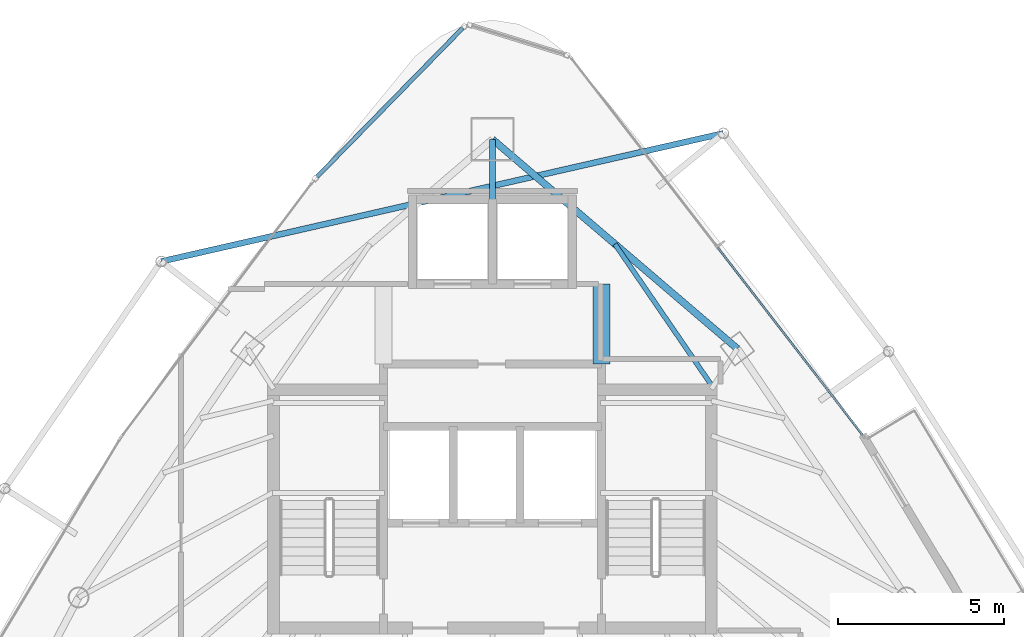
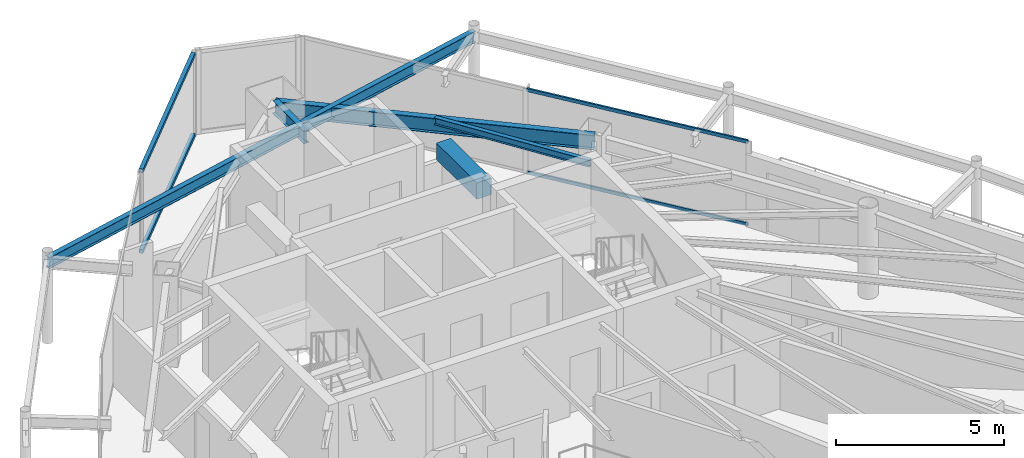
# One storey, part 21 of 29: 5 beams, 4 members, 2 elements without a shape of their own.
"""IFC4 building model written with IfcOpenShell, lengths in metres."""

import ifcopenshell
import ifcopenshell.guid

model = None  # the IFC model being written
_history = None  # IfcOwnerHistory: only IFC2X3 demands one
_inside = {}  # id of a spatial element -> (the spatial element, [elements in it])
_under = {}  # id of a project, library or spatial element -> (it, [spatial elements below it])
_declared = {}  # id of a project -> (the project, [libraries it declares])
_typed = {}  # id of a type object -> (the type object, [elements of that type])
_made_of = {}  # id of a material, layer set ... -> (it, [elements and type objects made of it])


def new_model(schema):
    """Start an empty IFC model of exactly this schema.

    Asked for "IFC4X3", IfcOpenShell would pick the latest addendum, in which some entities
    have other attributes; the version numbers below select the first issue.
    IFC2X3 requires an IfcOwnerHistory on every rooted entity: one is made here for all.
    """
    global model, _history
    if schema == "IFC4X3":
        model = ifcopenshell.file(schema_version=(4, 3, 0, 0))
    else:
        model = ifcopenshell.file(schema=schema)
    _inside.clear()
    _under.clear()
    _declared.clear()
    _typed.clear()
    _made_of.clear()
    _history = None
    if model.schema == "IFC2X3":
        org = make("IfcOrganization", Name="unknown")
        user = make(
            "IfcPersonAndOrganization",
            ThePerson=make("IfcPerson", FamilyName="unknown"),
            TheOrganization=org,
        )
        app = make(
            "IfcApplication",
            ApplicationDeveloper=org,
            Version="unknown",
            ApplicationFullName="unknown",
            ApplicationIdentifier="unknown",
        )
        _history = make(
            "IfcOwnerHistory",
            OwningUser=user,
            OwningApplication=app,
            ChangeAction="ADDED",
            CreationDate=0,
        )
    return model


def make(cls, **values):
    """One entity of the class cls with the attributes given. An attribute that is None is left unset."""
    return model.create_entity(
        cls, **{name: value for name, value in values.items() if value is not None}
    )


def rooted(cls, **values):
    """An entity with a GlobalId (a new one), such as an element, a storey or a relation."""
    return make(cls, GlobalId=ifcopenshell.guid.new(), OwnerHistory=_history, **values)


def si_unit(unit_type, name, prefix=None):
    """IfcSIUnit, for example si_unit("LENGTHUNIT", "METRE", prefix="MILLI")."""
    return make("IfcSIUnit", UnitType=unit_type, Prefix=prefix, Name=name)


def assignment(units):
    """IfcUnitAssignment: the units of a project."""
    return None if units is None else make("IfcUnitAssignment", Units=units)


def point(xyz):
    """IfcCartesianPoint."""
    return None if xyz is None else make("IfcCartesianPoint", Coordinates=xyz)


def direction(xyz):
    """IfcDirection."""
    return None if xyz is None else make("IfcDirection", DirectionRatios=xyz)


def frame(location, z_axis=None, x_axis=None):
    """IfcAxis2Placement3D, a coordinate frame: its origin and axes. An axis left out is left unset."""
    return make(
        "IfcAxis2Placement3D",
        Location=point(location),
        Axis=direction(z_axis),
        RefDirection=direction(x_axis),
    )


def frame_2d(location, x_axis=None):
    """IfcAxis2Placement2D, a coordinate frame in the plane: its origin and x axis."""
    return make(
        "IfcAxis2Placement2D", Location=point(location), RefDirection=direction(x_axis)
    )


def origin():
    """The frame at (0, 0, 0) with its axes left unset."""
    return frame((0.0, 0.0, 0.0))


def origin_2d():
    """The frame at (0, 0) in the plane with its x axis left unset."""
    return frame_2d((0.0, 0.0))


def place(relative_to, where):
    """IfcLocalPlacement: puts the frame where relative to a parent placement (None: the world)."""
    return make(
        "IfcLocalPlacement", PlacementRelTo=relative_to, RelativePlacement=where
    )


def context(
    kind, dimensions, precision=None, world=None, true_north=None, identifier=None
):
    """IfcGeometricRepresentationContext, for example the 3D "Model" context."""
    return make(
        "IfcGeometricRepresentationContext",
        ContextIdentifier=identifier,
        ContextType=kind,
        CoordinateSpaceDimension=dimensions,
        Precision=precision,
        WorldCoordinateSystem=world,
        TrueNorth=true_north,
    )


def subcontext(parent, identifier, kind, view, scale=None):
    """IfcGeometricRepresentationSubContext, for example "Body" below "Model"."""
    return make(
        "IfcGeometricRepresentationSubContext",
        ContextIdentifier=identifier,
        ContextType=kind,
        ParentContext=parent,
        TargetScale=scale,
        TargetView=view,
    )


def project(units=None, contexts=None):
    """IfcProject with its units and contexts."""
    return rooted(
        "IfcProject",
        Name="project",
        RepresentationContexts=contexts,
        UnitsInContext=assignment(units),
    )


def spatial(cls, under=None, at=None, **own):
    """A site, building, storey or space (cls), placed at a placement, below another one or the project."""
    s = rooted(cls, ObjectPlacement=at, **own)
    if under is not None:
        _under.setdefault(under.id(), (under, []))[1].append(s)
    return s


def profile(cls, at=None, kind="AREA", **sizes):
    """A parametric profile (cls). Its sizes go by their IFC names, for example OverallWidth=200.0."""
    return make(cls, ProfileType=kind, Position=at, **sizes)


def rectangle(**sizes):
    """IfcRectangleProfileDef."""
    return profile("IfcRectangleProfileDef", **sizes)


def hollow_rectangle(**sizes):
    """IfcRectangleHollowProfileDef."""
    return profile("IfcRectangleHollowProfileDef", **sizes)


def i_section(**sizes):
    """IfcIShapeProfileDef."""
    return profile("IfcIShapeProfileDef", **sizes)


def extrude(swept, where, along, depth):
    """IfcExtrudedAreaSolid: the profile swept, set in the frame where, extruded along a direction by depth."""
    return make(
        "IfcExtrudedAreaSolid",
        SweptArea=swept,
        Position=where,
        ExtrudedDirection=direction(along),
        Depth=depth,
    )


def shape(context_of_items, identifier, shape_type, items):
    """IfcShapeRepresentation: the items that make up one representation, for example the "Body"."""
    return make(
        "IfcShapeRepresentation",
        ContextOfItems=context_of_items,
        RepresentationIdentifier=identifier,
        RepresentationType=shape_type,
        Items=items,
    )


def material(Name=None, Category=None):
    """IfcMaterial."""
    return make("IfcMaterial", Name=Name, Category=Category)


def layer(
    of_material, thickness, ventilated=None, Name=None, Category=None, Priority=None
):
    """IfcMaterialLayer: one layer of a wall or slab, of a material (None: an air gap)."""
    return make(
        "IfcMaterialLayer",
        Material=of_material,
        LayerThickness=thickness,
        IsVentilated=ventilated,
        Name=Name,
        Category=Category,
        Priority=Priority,
    )


def layer_set(layers, Name=None):
    """IfcMaterialLayerSet."""
    return make("IfcMaterialLayerSet", MaterialLayers=layers, LayerSetName=Name)


def material_profile(
    of_material, cross_section, Name=None, Category=None, Priority=None
):
    """IfcMaterialProfile: a cross section and its material."""
    return make(
        "IfcMaterialProfile",
        Name=Name,
        Material=of_material,
        Profile=cross_section,
        Priority=Priority,
        Category=Category,
    )


def profile_set(profiles, Name=None, composite=None):
    """IfcMaterialProfileSet."""
    return make(
        "IfcMaterialProfileSet",
        Name=Name,
        MaterialProfiles=profiles,
        CompositeProfile=composite,
    )


def made_of(thing, what):
    """Note that an element or type object is made of a material, layer set ...; save() writes the relation."""
    if what is not None:
        _made_of.setdefault(what.id(), (what, []))[1].append(thing)
    return thing


def type_object(cls, material=None, **own):
    """A type object (cls), such as IfcWallType, which elements share."""
    return made_of(rooted(cls, **own), material)


def element(
    cls,
    number,
    at=None,
    inside=None,
    cuts=None,
    type_object=None,
    material=None,
    context=None,
    identifier="Body",
    shape_type=None,
    held_by="IfcProductDefinitionShape",
    body=None,
    shapes=None,
    **own,
):
    """One element of the class cls, such as IfcWall. Its Tag is "e" and its number.

    at: its placement. inside: the storey or other place that contains it. cuts: it is an
    opening in that element (IfcRelVoidsElement). A single representation is given by context,
    identifier, shape_type and body (its items); several are given by shapes. held_by: the class
    of the entity that holds the representations. save() writes the other relations.
    """
    e = rooted(cls, Tag="e%d" % number, ObjectPlacement=at, **own)
    if body is not None:
        shapes = [shape(context, identifier, shape_type, body)]
    if shapes is not None:
        e.Representation = make(held_by, Representations=shapes)
    if inside is not None:
        _inside.setdefault(inside.id(), (inside, []))[1].append(e)
    if cuts is not None:
        rooted(
            "IfcRelVoidsElement", RelatingBuildingElement=cuts, RelatedOpeningElement=e
        )
    if type_object is not None:
        _typed.setdefault(type_object.id(), (type_object, []))[1].append(e)
    return made_of(e, material)


def aggregate(whole, parts):
    """IfcRelAggregates: a whole, such as a stair, and the parts it consists of."""
    return rooted("IfcRelAggregates", RelatingObject=whole, RelatedObjects=parts)


def save(model, path):
    """Write the relations noted so far, then the file.

    IfcRelAggregates (storeys below a building ...), IfcRelContainedInSpatialStructure (elements
    in a storey), IfcRelDefinesByType, IfcRelAssociatesMaterial and IfcRelDeclares: one each for
    every whole, place, type object, material and project.
    """
    for whole, parts in _under.values():
        aggregate(whole, parts)
    for where, things in _inside.values():
        rooted(
            "IfcRelContainedInSpatialStructure",
            RelatedElements=things,
            RelatingStructure=where,
        )
    for kind, things in _typed.values():
        rooted("IfcRelDefinesByType", RelatedObjects=things, RelatingType=kind)
    for what, things in _made_of.values():
        rooted("IfcRelAssociatesMaterial", RelatedObjects=things, RelatingMaterial=what)
    for by, libraries in _declared.values():
        rooted("IfcRelDeclares", RelatingContext=by, RelatedDefinitions=libraries)
    model.write(path)


model = new_model("IFC4")

# Units and contexts
model_context = context("Model", 3, precision=1e-05, world=origin(), true_north=direction((0.0, 1.0)))
body_context = subcontext(model_context, "Body", "Model", "MODEL_VIEW")
ifc_project = project(units=[si_unit("LENGTHUNIT", "METRE"), si_unit("AREAUNIT", "SQUARE_METRE"), si_unit("VOLUMEUNIT", "CUBIC_METRE"), si_unit("PLANEANGLEUNIT", "RADIAN"), si_unit("MASSUNIT", "GRAM", prefix="KILO")], contexts=[model_context])

# Site, building, storey
site_placement = place(None, origin())
site = spatial("IfcSite", under=ifc_project, at=site_placement, CompositionType="ELEMENT")
building_placement = place(site_placement, origin())
building = spatial("IfcBuilding", under=site, at=building_placement, Name="Orvanel Arch Residences", CompositionType="ELEMENT")
storey_placement = place(building_placement, frame((0.0, 0.0, 250.25)))
storey = spatial("IfcBuildingStorey", under=building, at=storey_placement, Name="L71", CompositionType="ELEMENT", Elevation=250.25)

# Beams
ifc_material_1 = material(Name="Structural steel AS/NZS 3679.1 Grade 300 (300 MPa)", Category="steel")
ifc_material_profile_1 = material_profile(ifc_material_1, i_section(OverallWidth=0.19091796875, OverallDepth=0.4599609375, WebThickness=0.010009765625, FlangeThickness=0.01611328125, at=origin_2d()), Name="460UB82.1")
ifc_profile_set_1 = profile_set([ifc_material_profile_1], Name="Structural steel AS/NZS 3679.1 Grade 300 (300 MPa)")
beam_type_1 = type_object("IfcBeamType", Name="BG-460UB", PredefinedType="BEAM", material=ifc_profile_set_1)
beam_1_placement = place(storey_placement, frame((33.0, 39.550048828125, 2.830078125), z_axis=(0.0, 1.0, 0.0), x_axis=(-1.0, 0.0, 0.0)))
element("IfcBeam", 1, at=beam_1_placement, inside=storey, type_object=beam_type_1, Name="L71 North Radial Girder", PredefinedType="BEAM", context=body_context, shape_type="SweptSolid", body=[
    extrude(i_section(OverallWidth=0.19091796875, OverallDepth=0.4599609375, WebThickness=0.010009765625, FlangeThickness=0.01611328125, at=origin_2d()), origin(), (0.0, 0.0, 1.0), 1.847900390625),
])
ifc_material_profile_2 = material_profile(ifc_material_1, i_section(OverallWidth=0.14599609375, OverallDepth=0.251953125, WebThickness=0.006103515625, FlangeThickness=0.008544921875, at=origin_2d()), Name="250UB31.4")
ifc_profile_set_2 = profile_set([ifc_material_profile_2], Name="Structural steel AS/NZS 3679.1 Grade 300 (300 MPa)")
beam_type_2 = type_object("IfcBeamType", Name="BJ-250UB", PredefinedType="JOIST", material=ifc_profile_set_2)
beam_2_placement = place(storey_placement, frame((39.574951171875, 34.02001953125, 2.93408203125), z_axis=(-0.564868085352, 0.825181220188, 0.0), x_axis=(-0.825181220188, -0.564868085352, 0.0)))
element("IfcBeam", 2, at=beam_2_placement, inside=storey, type_object=beam_type_2, Name="L71 NNE2 Wing Floor Joist", PredefinedType="JOIST", context=body_context, shape_type="SweptSolid", body=[
    extrude(i_section(OverallWidth=0.14599609375, OverallDepth=0.251953125, WebThickness=0.006103515625, FlangeThickness=0.008544921875, at=origin_2d()), origin(), (0.0, 0.0, 1.0), 5.132080078125),
])
ifc_material_2 = material(Name="Concrete S65 (65 MPa)", Category="concrete")
ifc_material_profile_3 = material_profile(ifc_material_2, rectangle(XDim=0.5, YDim=0.60009765625, at=origin_2d()), Name="RC500x600")
ifc_profile_set_3 = profile_set([ifc_material_profile_3], Name="Concrete S65 (65 MPa)")
beam_type_3 = type_object("IfcBeamType", Name="CB-500x600", PredefinedType="LINTEL", material=ifc_profile_set_3)
beam_3_placement = place(storey_placement, frame((36.27490234375, 34.64990234375, 2.760009765625), z_axis=(0.0, 1.0, 0.0), x_axis=(-1.0, 0.0, 0.0)))
element("IfcBeam", 3, at=beam_3_placement, inside=storey, type_object=beam_type_3, Name="L71 East Core Lobby Coupling Lintel Beam", PredefinedType="LINTEL", context=body_context, shape_type="SweptSolid", body=[
    extrude(rectangle(XDim=0.5, YDim=0.60009765625, at=origin_2d()), origin(), (0.0, 0.0, 1.0), 2.400146484375),
])
ifc_material_profile_4 = material_profile(ifc_material_1, i_section(OverallWidth=0.177978515625, OverallDepth=0.406005859375, WebThickness=0.0078125, FlangeThickness=0.0126953125, at=origin_2d()), Name="410UB59.7")
ifc_profile_set_4 = profile_set([ifc_material_profile_4], Name="Structural steel AS/NZS 3679.1 Grade 300 (300 MPa)")
beam_type_4 = type_object("IfcBeamType", Name="OB-410UB-EXT", PredefinedType="SPANDREL", material=ifc_profile_set_4)
beam_4_placement = place(storey_placement, frame((39.93408203125, 41.5791015625, 2.85693359375), z_axis=(-0.975003740449, -0.222188447295, 0.0), x_axis=(0.222188447295, -0.975003740449, 0.0)))
element("IfcBeam", 4, at=beam_4_placement, inside=storey, type_object=beam_type_4, Name="L71 Outer Perimeter Floor Ring Beam 12", PredefinedType="SPANDREL", context=body_context, shape_type="SweptSolid", body=[
    extrude(i_section(OverallWidth=0.177978515625, OverallDepth=0.406005859375, WebThickness=0.0078125, FlangeThickness=0.0126953125, at=origin_2d()), origin(), (0.0, 0.0, 1.0), 17.31494140625),
])
ifc_material_profile_5 = material_profile(ifc_material_1, i_section(OverallWidth=0.208984375, OverallDepth=0.532958984375, WebThickness=0.01025390625, FlangeThickness=0.015625, at=origin_2d()), Name="530UB92.4")
ifc_profile_set_5 = profile_set([ifc_material_profile_5], Name="Structural steel AS/NZS 3679.1 Grade 300 (300 MPa)")
beam_type_5 = type_object("IfcBeamType", Name="SP-530UB", PredefinedType="SPANDREL", material=ifc_profile_set_5)
beam_5_placement = place(storey_placement, frame((40.35205078125, 35.113037109375, 2.79296875), z_axis=(-0.760116518398, 0.649786794617, 0.0), x_axis=(-0.649786794617, -0.760116518398, 0.0)))
element("IfcBeam", 5, at=beam_5_placement, inside=storey, type_object=beam_type_5, Name="L71 Perimeter Spandrel Beam 09", PredefinedType="SPANDREL", context=body_context, shape_type="SweptSolid", body=[
    extrude(i_section(OverallWidth=0.208984375, OverallDepth=0.532958984375, WebThickness=0.01025390625, FlangeThickness=0.015625, at=origin_2d()), origin(), (0.0, 0.0, 1.0), 9.67236328125),
])

# Curtain wall, members
ifc_material_3 = material(Name="Bronze-anodised aluminium AA6063-T6", Category="aluminium")
ifc_layer_1 = layer(ifc_material_3, 0.175048828125)
ifc_layer_set_1 = layer_set([ifc_layer_1], Name="Bronze-anodised aluminium AA6063-T6")
curtain_wall_type_1 = type_object("IfcCurtainWallType", Name="CW4-HI-SYS", PredefinedType="NOTDEFINED", material=ifc_layer_set_1)
curtain_wall_1_placement = place(storey_placement, origin())
curtain_wall_1 = element("IfcCurtainWall", 6, at=curtain_wall_1_placement, inside=storey, type_object=curtain_wall_type_1, Name="L71 CW4-HI-SYS Unitised Curtain Wall", PredefinedType="NOTDEFINED")
ifc_material_profile_6 = material_profile(ifc_material_3, hollow_rectangle(XDim=0.06005859375, YDim=0.1201171875, WallThickness=0.00341796875, at=origin_2d()), Name="ALU120x60x3.5")
ifc_profile_set_6 = profile_set([ifc_material_profile_6], Name="Bronze-anodised aluminium AA6063-T6")
member_type_1 = type_object("IfcMemberType", Name="TRN-120x60", PredefinedType="USERDEFINED", material=ifc_profile_set_6)
member_1_placement = place(storey_placement, frame((44.1162109375, 32.515380859375, 0.030029296875), z_axis=(-0.611375262604, 0.791340816763, 0.0), x_axis=(-0.791340816763, -0.611375262604, 0.0)))
member_1 = element("IfcMember", 7, at=member_1_placement, type_object=member_type_1, Name="CW-S4 transom 1.1", ObjectType="TRANSOM", PredefinedType="USERDEFINED", context=body_context, shape_type="SweptSolid", body=[
    extrude(hollow_rectangle(XDim=0.06005859375, YDim=0.1201171875, WallThickness=0.00341796875, at=origin_2d()), origin(), (0.0, 0.0, 1.0), 7.1181640625),
])
member_2_placement = place(storey_placement, frame((44.1162109375, 32.515380859375, 3.030029296875), z_axis=(-0.611375262604, 0.791340816763, 0.0), x_axis=(-0.791340816763, -0.611375262604, 0.0)))
member_2 = element("IfcMember", 8, at=member_2_placement, type_object=member_type_1, Name="CW-S4 transom 1.2", ObjectType="TRANSOM", PredefinedType="USERDEFINED", context=body_context, shape_type="SweptSolid", body=[
    extrude(hollow_rectangle(XDim=0.06005859375, YDim=0.1201171875, WallThickness=0.00341796875, at=origin_2d()), origin(), (0.0, 0.0, 1.0), 7.1181640625),
])
aggregate(curtain_wall_1, [member_1, member_2])

ifc_layer_2 = layer(ifc_material_3, 0.18994140625)
ifc_layer_set_2 = layer_set([ifc_layer_2], Name="Bronze-anodised aluminium AA6063-T6")
curtain_wall_type_2 = type_object("IfcCurtainWallType", Name="CW5-CRN-SYS", PredefinedType="NOTDEFINED", material=ifc_layer_set_2)
curtain_wall_2_placement = place(storey_placement, origin())
curtain_wall_2 = element("IfcCurtainWall", 9, at=curtain_wall_2_placement, inside=storey, type_object=curtain_wall_type_2, Name="L71 CW5-CRN-SYS Unitised Curtain Wall", PredefinedType="NOTDEFINED")
ifc_material_profile_7 = material_profile(ifc_material_3, hollow_rectangle(XDim=0.1298828125, YDim=0.1298828125, WallThickness=0.00439453125, at=origin_2d()), Name="ALU130x130x4.5")
ifc_profile_set_7 = profile_set([ifc_material_profile_7], Name="Bronze-anodised aluminium AA6063-T6")
member_type_2 = type_object("IfcMemberType", Name="TRN-130x130", PredefinedType="USERDEFINED", material=ifc_profile_set_7)
member_3_placement = place(storey_placement, frame((32.10693359375, 44.741943359375, 0.06494140625), z_axis=(-0.699649707694, -0.714486029621, 0.0), x_axis=(0.714486029621, -0.699649707694, 0.0)))
member_3 = element("IfcMember", 10, at=member_3_placement, type_object=member_type_2, Name="CW-S5 transom 1.1", ObjectType="TRANSOM", PredefinedType="USERDEFINED", context=body_context, shape_type="SweptSolid", body=[
    extrude(hollow_rectangle(XDim=0.1298828125, YDim=0.1298828125, WallThickness=0.00439453125, at=origin_2d()), origin(), (0.0, 0.0, 1.0), 6.253173828125),
])
member_4_placement = place(storey_placement, frame((32.10693359375, 44.741943359375, 2.9951171875), z_axis=(-0.699649707694, -0.714486029621, 0.0), x_axis=(0.714486029621, -0.699649707694, 0.0)))
member_4 = element("IfcMember", 11, at=member_4_placement, type_object=member_type_2, Name="CW-S5 transom 1.2", ObjectType="TRANSOM", PredefinedType="USERDEFINED", context=body_context, shape_type="SweptSolid", body=[
    extrude(hollow_rectangle(XDim=0.1298828125, YDim=0.1298828125, WallThickness=0.00439453125, at=origin_2d()), origin(), (0.0, 0.0, 1.0), 6.253173828125),
])
aggregate(curtain_wall_2, [member_3, member_4])

save(model, "model.ifc")
